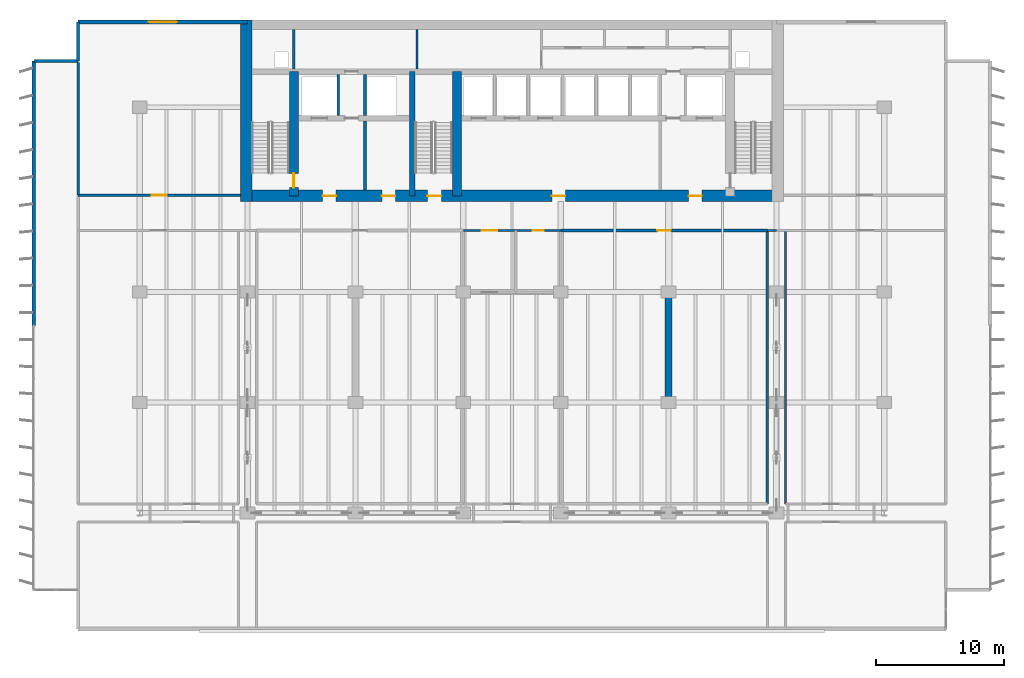
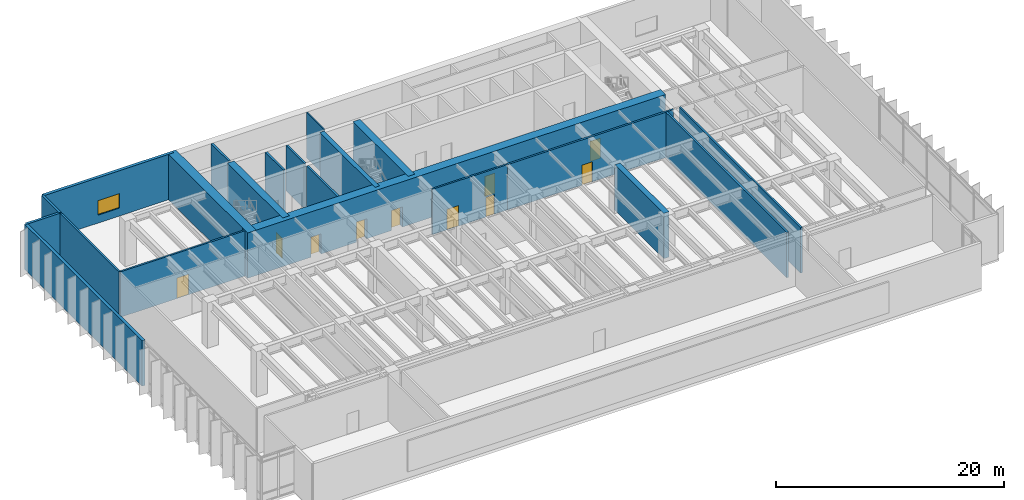
# One storey, part 15 of 21: 22 walls, 10 doors, 1 window, 11 openings.
"""IFC4 building model written with IfcOpenShell, lengths in metres."""

from ifc_helpers import new_model, si_unit, direction, frame, frame_2d, origin, place, context, subcontext, project, spatial, rectangle, extrude, material, layer, layer_set, type_object, element, fill, save


model = new_model("IFC4")

# Units and contexts
model_context = context("Model", 3, precision=1e-05, world=origin(), true_north=direction((0.0, 1.0)))
body_context = subcontext(model_context, "Body", "Model", "MODEL_VIEW")
ifc_project = project(units=[si_unit("LENGTHUNIT", "METRE"), si_unit("AREAUNIT", "SQUARE_METRE"), si_unit("VOLUMEUNIT", "CUBIC_METRE"), si_unit("PLANEANGLEUNIT", "RADIAN"), si_unit("MASSUNIT", "GRAM", prefix="KILO")], contexts=[model_context])

# Site, building, storey
site_placement = place(None, origin())
site = spatial("IfcSite", under=ifc_project, at=site_placement, CompositionType="ELEMENT")
building_placement = place(site_placement, origin())
building = spatial("IfcBuilding", under=site, at=building_placement, Name="Caelmar Bay Residences", CompositionType="ELEMENT")
storey_placement = place(building_placement, frame((0.0, 0.0, 79.5)))
storey = spatial("IfcBuildingStorey", under=building, at=storey_placement, Name="L21", CompositionType="ELEMENT", Elevation=79.5)

# Wall, opening, door
ifc_material_1 = material(Name="Concrete f'c 55 MPa (8,000 psi)", Category="concrete")
ifc_layer_1 = layer(ifc_material_1, 0.699951171875)
ifc_layer_set_1 = layer_set([ifc_layer_1], Name="Concrete f'c 55 MPa (8,000 psi)")
wall_type_1 = type_object("IfcWallType", Name="SW-COR-700", PredefinedType="SHEAR", material=ifc_layer_set_1)
wall_1_placement = place(storey_placement, frame((21.89990234375, 36.89990234375, 0.0), z_axis=(0.0, 0.0, 1.0), x_axis=(0.0, 1.0, 0.0)))
wall_1 = element("IfcWall", 1, at=wall_1_placement, inside=storey, type_object=wall_type_1, Name="L21 Core Structural Web Wall ST1E", PredefinedType="SHEAR", context=body_context, shape_type="SweptSolid", body=[
    extrude(rectangle(XDim=9.675048828125, YDim=0.699951171875, at=frame_2d((4.83740234375, 0.0))), origin(), (0.0, 0.0, 1.0), 4.85009765625),
])
opening_1_placement = place(wall_1_placement, frame((0.64990234375, 0.0, 0.0)))
opening_1 = element("IfcOpeningElement", 2, at=opening_1_placement, cuts=wall_1, Name="Opening D-L21-108", PredefinedType="OPENING", context=body_context, shape_type="SweptSolid", body=[
    extrude(rectangle(XDim=1.10009765625, YDim=2.14990234375, at=frame_2d((0.550048828125, 1.074951171875))), frame((0.0, 0.35986328125, 0.0), z_axis=(0.0, -1.0, 0.0), x_axis=(1.0, 0.0, 0.0)), (0.0, 0.0, 1.0), 0.719970703125),
])
ifc_material_2 = material(Name="Fire-rated steel and walnut architectural door assembly", Category="steel")
ifc_layer_2 = layer(ifc_material_2, 0.050048828125)
ifc_layer_set_2 = layer_set([ifc_layer_2], Name="Fire-rated steel and walnut architectural door assembly")
door_type_1 = type_object("IfcDoorType", Name="D-STAIR-1100", OperationType="NOTDEFINED", PredefinedType="DOOR", material=ifc_layer_set_2)
door_1_placement = place(opening_1_placement, origin())
door_1 = element("IfcDoor", 3, at=door_1_placement, inside=storey, type_object=door_type_1, Name="L21 Firefighting Lobby West Door", OperationType="SINGLE_SWING_LEFT", OverallHeight=2.14990234375, OverallWidth=1.10009765625, PredefinedType="DOOR", context=body_context, shape_type="SweptSolid", body=[
    extrude(rectangle(XDim=1.10009765625, YDim=2.14990234375, at=frame_2d((0.550048828125, 1.074951171875))), frame((0.0, 0.02490234375, 0.0), z_axis=(0.0, -1.0, 0.0), x_axis=(1.0, 0.0, 0.0)), (0.0, 0.0, 1.0), 0.050048828125),
])
fill(opening_1, door_1)

# Wall
wall_2_placement = place(storey_placement, frame((34.60009765625, 36.89990234375, 0.0), z_axis=(0.0, 0.0, 1.0), x_axis=(0.0, 1.0, 0.0)))
element("IfcWall", 4, at=wall_2_placement, inside=storey, type_object=wall_type_1, Name="L21 Core Structural Web Wall ST3E", PredefinedType="SHEAR", context=body_context, shape_type="SweptSolid", body=[
    extrude(rectangle(XDim=9.675048828125, YDim=0.699951171875, at=frame_2d((4.83740234375, 0.0))), origin(), (0.0, 0.0, 1.0), 4.85009765625),
])

# Wall, openings, doors
ifc_material_3 = material(Name="Concrete f'c 70 MPa (10,000 psi)", Category="concrete")
ifc_layer_3 = layer(ifc_material_3, 0.89990234375)
ifc_layer_set_3 = layer_set([ifc_layer_3], Name="Concrete f'c 70 MPa (10,000 psi)")
wall_type_2 = type_object("IfcWallType", Name="SW-COR-900", PredefinedType="SHEAR", material=ifc_layer_set_3)
wall_3_placement = place(storey_placement, frame((17.75, 36.89990234375, 0.0), z_axis=(0.0, 0.0, 1.0), x_axis=(1.0, 0.0, 0.0)))
wall_3 = element("IfcWall", 5, at=wall_3_placement, inside=storey, type_object=wall_type_2, Name="L21 Rear Core South Shear Wall", PredefinedType="SHEAR", context=body_context, shape_type="SweptSolid", body=[
    extrude(rectangle(XDim=42.300048828125, YDim=0.89990234375, at=frame_2d((21.14990234375, 0.0))), origin(), (0.0, 0.0, 1.0), 4.85009765625),
])
opening_2_placement = place(wall_3_placement, frame((14.550048828125, 0.0, 0.0)))
opening_2 = element("IfcOpeningElement", 6, at=opening_2_placement, cuts=wall_3, Name="Opening D-L21-106", PredefinedType="OPENING", context=body_context, shape_type="SweptSolid", body=[
    extrude(rectangle(XDim=1.10009765625, YDim=2.14990234375, at=frame_2d((0.550048828125, 1.074951171875))), frame((0.0, 0.4599609375, 0.0), z_axis=(0.0, -1.0, 0.0), x_axis=(1.0, 0.0, 0.0)), (0.0, 0.0, 1.0), 0.919921875),
])
opening_3_placement = place(wall_3_placement, frame((6.39990234375, 0.0, 0.0)))
opening_3 = element("IfcOpeningElement", 7, at=opening_3_placement, cuts=wall_3, Name="Opening D-L21-107", PredefinedType="OPENING", context=body_context, shape_type="SweptSolid", body=[
    extrude(rectangle(XDim=1.050048828125, YDim=2.14990234375, at=frame_2d((0.52490234375, 1.074951171875))), frame((0.0, 0.4599609375, 0.0), z_axis=(0.0, -1.0, 0.0), x_axis=(1.0, 0.0, 0.0)), (0.0, 0.0, 1.0), 0.919921875),
])
opening_4_placement = place(wall_3_placement, frame((34.89990234375, 0.0, 0.0)))
opening_4 = element("IfcOpeningElement", 8, at=opening_4_placement, cuts=wall_3, Name="Opening D-L21-110", PredefinedType="OPENING", context=body_context, shape_type="SweptSolid", body=[
    extrude(rectangle(XDim=1.050048828125, YDim=2.14990234375, at=frame_2d((0.52490234375, 1.074951171875))), frame((0.0, 0.4599609375, 0.0), z_axis=(0.0, -1.0, 0.0), x_axis=(1.0, 0.0, 0.0)), (0.0, 0.0, 1.0), 0.919921875),
])
opening_5_placement = place(wall_3_placement, frame((11.012451171875, 0.0, 0.0)))
opening_5 = element("IfcOpeningElement", 9, at=opening_5_placement, cuts=wall_3, Name="Opening D-L21-113", PredefinedType="OPENING", context=body_context, shape_type="SweptSolid", body=[
    extrude(rectangle(XDim=1.050048828125, YDim=2.14990234375, at=frame_2d((0.52490234375, 1.074951171875))), frame((0.0, 0.4599609375, 0.0), z_axis=(0.0, -1.0, 0.0), x_axis=(1.0, 0.0, 0.0)), (0.0, 0.0, 1.0), 0.919921875),
])
opening_6_placement = place(wall_3_placement, frame((24.25, 0.0, 0.0)))
opening_6 = element("IfcOpeningElement", 10, at=opening_6_placement, cuts=wall_3, Name="Opening D-L21-114", PredefinedType="OPENING", context=body_context, shape_type="SweptSolid", body=[
    extrude(rectangle(XDim=1.050048828125, YDim=2.14990234375, at=frame_2d((0.52490234375, 1.074951171875))), frame((0.0, 0.4599609375, 0.0), z_axis=(0.0, -1.0, 0.0), x_axis=(1.0, 0.0, 0.0)), (0.0, 0.0, 1.0), 0.919921875),
])
ifc_layer_4 = layer(ifc_material_2, 0.050048828125)
ifc_layer_set_4 = layer_set([ifc_layer_4], Name="Fire-rated steel and walnut architectural door assembly")
door_type_2 = type_object("IfcDoorType", Name="D-FSAE-1050", OperationType="NOTDEFINED", PredefinedType="DOOR", material=ifc_layer_set_4)
door_2_placement = place(opening_3_placement, origin())
door_2 = element("IfcDoor", 11, at=door_2_placement, inside=storey, type_object=door_type_2, Name="L21 Firefighting Lobby West Door", OperationType="SINGLE_SWING_RIGHT", OverallHeight=2.14990234375, OverallWidth=1.050048828125, PredefinedType="DOOR", context=body_context, shape_type="SweptSolid", body=[
    extrude(rectangle(XDim=1.050048828125, YDim=2.14990234375, at=frame_2d((0.52490234375, 1.074951171875))), frame((0.0, 0.02490234375, 0.0), z_axis=(0.0, -1.0, 0.0), x_axis=(1.0, 0.0, 0.0)), (0.0, 0.0, 1.0), 0.050048828125),
])
fill(opening_3, door_2)
door_3_placement = place(opening_4_placement, origin())
door_3 = element("IfcDoor", 12, at=door_3_placement, inside=storey, type_object=door_type_2, Name="L21 Firefighting Lobby East Door", OperationType="SINGLE_SWING_LEFT", OverallHeight=2.14990234375, OverallWidth=1.050048828125, PredefinedType="DOOR", context=body_context, shape_type="SweptSolid", body=[
    extrude(rectangle(XDim=1.050048828125, YDim=2.14990234375, at=frame_2d((0.52490234375, 1.074951171875))), frame((0.0, 0.02490234375, 0.0), z_axis=(0.0, -1.0, 0.0), x_axis=(1.0, 0.0, 0.0)), (0.0, 0.0, 1.0), 0.050048828125),
])
fill(opening_4, door_3)
door_4_placement = place(opening_5_placement, origin())
door_4 = element("IfcDoor", 13, at=door_4_placement, inside=storey, type_object=door_type_2, Name="L21 West Lift Lobby Door", OperationType="SINGLE_SWING_RIGHT", OverallHeight=2.14990234375, OverallWidth=1.050048828125, PredefinedType="DOOR", context=body_context, shape_type="SweptSolid", body=[
    extrude(rectangle(XDim=1.050048828125, YDim=2.14990234375, at=frame_2d((0.52490234375, 1.074951171875))), frame((0.0, 0.02490234375, 0.0), z_axis=(0.0, -1.0, 0.0), x_axis=(1.0, 0.0, 0.0)), (0.0, 0.0, 1.0), 0.050048828125),
])
fill(opening_5, door_4)
door_5_placement = place(opening_6_placement, origin())
door_5 = element("IfcDoor", 14, at=door_5_placement, inside=storey, type_object=door_type_2, Name="L21 Passenger Lift Lobby Door", OperationType="SINGLE_SWING_LEFT", OverallHeight=2.14990234375, OverallWidth=1.050048828125, PredefinedType="DOOR", context=body_context, shape_type="SweptSolid", body=[
    extrude(rectangle(XDim=1.050048828125, YDim=2.14990234375, at=frame_2d((0.52490234375, 1.074951171875))), frame((0.0, 0.02490234375, 0.0), z_axis=(0.0, -1.0, 0.0), x_axis=(1.0, 0.0, 0.0)), (0.0, 0.0, 1.0), 0.050048828125),
])
fill(opening_6, door_5)
door_6_placement = place(opening_2_placement, origin())
door_6 = element("IfcDoor", 15, at=door_6_placement, inside=storey, type_object=door_type_1, Name="L21 Exit Stair ST3 Door", OperationType="SINGLE_SWING_LEFT", OverallHeight=2.14990234375, OverallWidth=1.10009765625, PredefinedType="DOOR", context=body_context, shape_type="SweptSolid", body=[
    extrude(rectangle(XDim=1.10009765625, YDim=2.14990234375, at=frame_2d((0.550048828125, 1.074951171875))), frame((0.0, 0.02490234375, 0.0), z_axis=(0.0, -1.0, 0.0), x_axis=(1.0, 0.0, 0.0)), (0.0, 0.0, 1.0), 0.050048828125),
])
fill(opening_2, door_6)

# Walls
wall_4_placement = place(storey_placement, frame((18.199951171875, 36.449951171875, 0.0), z_axis=(0.0, 0.0, 1.0), x_axis=(0.0, 1.0, 0.0)))
element("IfcWall", 16, at=wall_4_placement, inside=storey, type_object=wall_type_2, Name="L21 Rear Core West Shear Wall", PredefinedType="SHEAR", context=body_context, shape_type="SweptSolid", body=[
    extrude(rectangle(XDim=14.150146484375, YDim=0.89990234375, at=frame_2d((7.0751953125, 0.0))), origin(), (0.0, 0.0, 1.0), 4.85009765625),
])
ifc_layer_5 = layer(ifc_material_3, 0.449951171875)
ifc_layer_set_5 = layer_set([ifc_layer_5], Name="Concrete f'c 70 MPa (10,000 psi)")
wall_type_3 = type_object("IfcWallType", Name="SW-WEB-450", PredefinedType="SHEAR", material=ifc_layer_set_5)
wall_5_placement = place(storey_placement, frame((31.125, 36.89990234375, 0.0), z_axis=(0.0, 0.0, 1.0), x_axis=(0.0, 1.0, 0.0)))
element("IfcWall", 17, at=wall_5_placement, inside=storey, type_object=wall_type_3, Name="L21 Core Structural Web Wall ST3W", PredefinedType="SHEAR", context=body_context, shape_type="SweptSolid", body=[
    extrude(rectangle(XDim=9.675048828125, YDim=0.449951171875, at=frame_2d((4.83740234375, 0.0))), origin(), (0.0, 0.0, 1.0), 4.85009765625),
])
ifc_layer_6 = layer(ifc_material_3, 0.550048828125)
ifc_layer_set_6 = layer_set([ifc_layer_6], Name="Concrete f'c 70 MPa (10,000 psi)")
wall_type_4 = type_object("IfcWallType", Name="SW-XSLB-550", PredefinedType="SHEAR", material=ifc_layer_set_6)
wall_6_placement = place(storey_placement, frame((51.10009765625, 20.800048828125, 0.0), z_axis=(0.0, 0.0, 1.0), x_axis=(0.0, 1.0, 0.0)))
element("IfcWall", 18, at=wall_6_placement, inside=storey, type_object=wall_type_4, Name="L21 Transverse Cross-Slab Shear Wall E8", PredefinedType="SHEAR", context=body_context, shape_type="SweptSolid", body=[
    extrude(rectangle(XDim=8.599853515625, YDim=0.550048828125, at=frame_2d((4.2998046875, 0.0))), origin(), (0.0, 0.0, 1.0), 4.85009765625),
])
ifc_material_4 = material(Name="Double-stud acoustic fire-rated gypsum partition 180 mm")
ifc_layer_7 = layer(ifc_material_4, 0.179931640625)
ifc_layer_set_7 = layer_set([ifc_layer_7], Name="Double-stud acoustic fire-rated gypsum partition 180 mm")
wall_type_5 = type_object("IfcWallType", Name="W-COR-200", PredefinedType="PARTITIONING", material=ifc_layer_set_7)
wall_7_placement = place(storey_placement, frame((5.10009765625, 36.949951171875, 0.0), z_axis=(0.0, 0.0, 1.0), x_axis=(0.0, 1.0, 0.0)))
element("IfcWall", 19, at=wall_7_placement, inside=storey, type_object=wall_type_5, Name="L21 Partition Wall V003", PredefinedType="PARTITIONING", context=body_context, shape_type="SweptSolid", body=[
    extrude(rectangle(XDim=10.330078125, YDim=0.179931640625, at=frame_2d((5.1650390625, 0.0))), origin(), (0.0, 0.0, 1.0), 4.85009765625),
])
wall_8_placement = place(storey_placement, frame((60.199951171875, 12.89990234375, 0.0), z_axis=(0.0, 0.0, 1.0), x_axis=(0.0, 1.0, 0.0)))
element("IfcWall", 20, at=wall_8_placement, inside=storey, type_object=wall_type_5, Name="L21 Partition Wall V035", PredefinedType="PARTITIONING", context=body_context, shape_type="SweptSolid", body=[
    extrude(rectangle(XDim=21.300048828125, YDim=0.179931640625, at=frame_2d((10.64990234375, 0.0))), origin(), (0.0, 0.0, 1.0), 4.85009765625),
])

# Wall, openings, doors
wall_9_placement = place(storey_placement, frame((35.10498046875, 34.199951171875, 0.0), z_axis=(0.0, 0.0, 1.0), x_axis=(1.0, 0.0, 0.0)))
wall_9 = element("IfcWall", 21, at=wall_9_placement, inside=storey, type_object=wall_type_5, Name="L21 Partition Wall H053", PredefinedType="PARTITIONING", context=body_context, shape_type="SweptSolid", body=[
    extrude(rectangle(XDim=7.594970703125, YDim=0.179931640625, at=frame_2d((3.79736328125, 0.0))), origin(), (0.0, 0.0, 1.0), 4.85009765625),
])
opening_7_placement = place(wall_9_placement, frame((1.447509765625, 0.0, 0.0)))
opening_7 = element("IfcOpeningElement", 22, at=opening_7_placement, cuts=wall_9, Name="Opening D-L21-123", PredefinedType="OPENING", context=body_context, shape_type="SweptSolid", body=[
    extrude(rectangle(XDim=1.199951171875, YDim=2.199951171875, at=frame_2d((0.60009765625, 1.10009765625))), frame((0.0, 0.099853515625, 0.0), z_axis=(0.0, -1.0, 0.0), x_axis=(1.0, 0.0, 0.0)), (0.0, 0.0, 1.0), 0.199951171875),
])
opening_8_placement = place(wall_9_placement, frame((5.419921875, 0.0, 0.0)))
opening_8 = element("IfcOpeningElement", 23, at=opening_8_placement, cuts=wall_9, Name="Opening D-L21-124", PredefinedType="OPENING", context=body_context, shape_type="SweptSolid", body=[
    extrude(rectangle(XDim=0.85009765625, YDim=2.10009765625, at=frame_2d((0.425048828125, 1.050048828125))), frame((0.0, 0.099853515625, 0.0), z_axis=(0.0, -1.0, 0.0), x_axis=(1.0, 0.0, 0.0)), (0.0, 0.0, 1.0), 0.199951171875),
])
ifc_material_5 = material(Name="Solid walnut timber interior door leaf and frame", Category="wood")
ifc_layer_8 = layer(ifc_material_5, 0.050048828125)
ifc_layer_set_8 = layer_set([ifc_layer_8], Name="Solid walnut timber interior door leaf and frame")
door_type_3 = type_object("IfcDoorType", Name="D-BATH-850", OperationType="NOTDEFINED", PredefinedType="DOOR", material=ifc_layer_set_8)
door_7_placement = place(opening_8_placement, origin())
door_7 = element("IfcDoor", 24, at=door_7_placement, inside=storey, type_object=door_type_3, Name="L21 Refuge Accessible WC L21 Door", OperationType="SINGLE_SWING_LEFT", OverallHeight=2.10009765625, OverallWidth=0.85009765625, PredefinedType="DOOR", context=body_context, shape_type="SweptSolid", body=[
    extrude(rectangle(XDim=0.85009765625, YDim=2.10009765625, at=frame_2d((0.425048828125, 1.050048828125))), frame((0.0, 0.02490234375, 0.0), z_axis=(0.0, -1.0, 0.0), x_axis=(1.0, 0.0, 0.0)), (0.0, 0.0, 1.0), 0.050048828125),
])
fill(opening_8, door_7)
ifc_layer_9 = layer(ifc_material_2, 0.050048828125)
ifc_layer_set_9 = layer_set([ifc_layer_9], Name="Fire-rated steel and walnut architectural door assembly")
door_type_4 = type_object("IfcDoorType", Name="D-PLANT-1200", OperationType="NOTDEFINED", PredefinedType="DOOR", material=ifc_layer_set_9)
door_8_placement = place(opening_7_placement, origin())
door_8 = element("IfcDoor", 25, at=door_8_placement, inside=storey, type_object=door_type_4, Name="L21 Switchgear Electrical Plant Room L21 Door", OperationType="SINGLE_SWING_RIGHT", OverallHeight=2.199951171875, OverallWidth=1.199951171875, PredefinedType="DOOR", context=body_context, shape_type="SweptSolid", body=[
    extrude(rectangle(XDim=1.199951171875, YDim=2.199951171875, at=frame_2d((0.60009765625, 1.10009765625))), frame((0.0, 0.02490234375, 0.0), z_axis=(0.0, -1.0, 0.0), x_axis=(1.0, 0.0, 0.0)), (0.0, 0.0, 1.0), 0.050048828125),
])
fill(opening_7, door_8)

# Wall
wall_10_placement = place(storey_placement, frame((58.804931640625, 34.199951171875, 0.0), z_axis=(0.0, 0.0, 1.0), x_axis=(1.0, 0.0, 0.0)))
element("IfcWall", 26, at=wall_10_placement, inside=storey, type_object=wall_type_5, Name="L21 Partition Wall H055", PredefinedType="PARTITIONING", context=body_context, shape_type="SweptSolid", body=[
    extrude(rectangle(XDim=0.695068359375, YDim=0.179931640625, at=frame_2d((0.34765625, 0.0))), origin(), (0.0, 0.0, 1.0), 4.85009765625),
])

# Wall, opening, door
wall_11_placement = place(storey_placement, frame((5.10009765625, 36.949951171875, 0.0), z_axis=(0.0, 0.0, 1.0), x_axis=(1.0, 0.0, 0.0)))
wall_11 = element("IfcWall", 27, at=wall_11_placement, inside=storey, type_object=wall_type_5, Name="L21 Partition Wall H057", PredefinedType="PARTITIONING", context=body_context, shape_type="SweptSolid", body=[
    extrude(rectangle(XDim=12.64501953125, YDim=0.179931640625, at=frame_2d((6.322509765625, 0.0))), origin(), (0.0, 0.0, 1.0), 4.85009765625),
])
opening_9_placement = place(wall_11_placement, frame((5.722412109375, 0.0, 0.0)))
opening_9 = element("IfcOpeningElement", 28, at=opening_9_placement, cuts=wall_11, Name="Opening D-L21-127", PredefinedType="OPENING", context=body_context, shape_type="SweptSolid", body=[
    extrude(rectangle(XDim=1.199951171875, YDim=2.199951171875, at=frame_2d((0.60009765625, 1.10009765625))), frame((0.0, 0.099853515625, 0.0), z_axis=(0.0, -1.0, 0.0), x_axis=(1.0, 0.0, 0.0)), (0.0, 0.0, 1.0), 0.199951171875),
])
door_9_placement = place(opening_9_placement, origin())
door_9 = element("IfcDoor", 29, at=door_9_placement, inside=storey, type_object=door_type_4, Name="L21 North Exhaust Plant Room L21 Door", OperationType="SINGLE_SWING_RIGHT", OverallHeight=2.199951171875, OverallWidth=1.199951171875, PredefinedType="DOOR", context=body_context, shape_type="SweptSolid", body=[
    extrude(rectangle(XDim=1.199951171875, YDim=2.199951171875, at=frame_2d((0.60009765625, 1.10009765625))), frame((0.0, 0.02490234375, 0.0), z_axis=(0.0, -1.0, 0.0), x_axis=(1.0, 0.0, 0.0)), (0.0, 0.0, 1.0), 0.050048828125),
])
fill(opening_9, door_9)

# Walls
ifc_material_6 = material(Name="Precast concrete f'c 40 MPa (6,000 psi)", Category="concrete")
ifc_layer_10 = layer(ifc_material_6, 0.25)
ifc_layer_set_10 = layer_set([ifc_layer_10], Name="Precast concrete f'c 40 MPa (6,000 psi)")
wall_type_6 = type_object("IfcWallType", Name="W-EXT-250", PredefinedType="ELEMENTEDWALL", material=ifc_layer_set_10)
wall_12_placement = place(storey_placement, frame((1.64990234375, 47.39990234375, 0.0), z_axis=(0.0, 0.0, 1.0), x_axis=(1.0, 0.0, 0.0)))
element("IfcWall", 30, at=wall_12_placement, inside=storey, type_object=wall_type_6, Name="L21 NNW-H Notch Wall", PredefinedType="ELEMENTEDWALL", context=body_context, shape_type="SweptSolid", body=[
    extrude(rectangle(XDim=3.4501953125, YDim=0.25, at=frame_2d((1.72509765625, 0.0))), origin(), (0.0, 0.0, 1.0), 4.85009765625),
])
wall_13_placement = place(storey_placement, frame((5.10009765625, 47.39990234375, 0.0), z_axis=(0.0, 0.0, 1.0), x_axis=(0.0, 1.0, 0.0)))
element("IfcWall", 31, at=wall_13_placement, inside=storey, type_object=wall_type_6, Name="L21 NNW-V Notch Wall", PredefinedType="ELEMENTEDWALL", context=body_context, shape_type="SweptSolid", body=[
    extrude(rectangle(XDim=3.050048828125, YDim=0.25, at=frame_2d((1.52490234375, 0.0))), origin(), (0.0, 0.0, 1.0), 4.85009765625),
])
ifc_layer_11 = layer(ifc_material_6, 0.300048828125)
ifc_layer_set_11 = layer_set([ifc_layer_11], Name="Precast concrete f'c 40 MPa (6,000 psi)")
wall_type_7 = type_object("IfcWallType", Name="W-EXT-300", PredefinedType="STANDARD", material=ifc_layer_set_11)
wall_14_placement = place(storey_placement, frame((1.64990234375, 26.800048828125, 0.0), z_axis=(0.0, 0.0, 1.0), x_axis=(0.0, 1.0, 0.0)))
element("IfcWall", 32, at=wall_14_placement, inside=storey, type_object=wall_type_7, Name="L21 West Rear Exterior Wall", PredefinedType="STANDARD", context=body_context, shape_type="SweptSolid", body=[
    extrude(rectangle(XDim=20.599853515625, YDim=0.300048828125, at=frame_2d((10.2998046875, 0.0))), origin(), (0.0, 0.0, 1.0), 4.85009765625),
])

# Wall, opening, window
wall_15_placement = place(storey_placement, frame((5.10009765625, 50.449951171875, 0.0), z_axis=(0.0, 0.0, 1.0), x_axis=(1.0, 0.0, 0.0)))
wall_15 = element("IfcWall", 33, at=wall_15_placement, inside=storey, type_object=wall_type_7, Name="L21 North-West Wing Exterior Wall", PredefinedType="STANDARD", context=body_context, shape_type="SweptSolid", body=[
    extrude(rectangle(XDim=13.199951171875, YDim=0.300048828125, at=frame_2d((6.60009765625, 0.0))), origin(), (0.0, 0.0, 1.0), 4.85009765625),
])
opening_10_placement = place(wall_15_placement, frame((5.5, 0.0, 0.85009765625)))
opening_10 = element("IfcOpeningElement", 34, at=opening_10_placement, cuts=wall_15, Name="Opening WN2", PredefinedType="OPENING", context=body_context, shape_type="SweptSolid", body=[
    extrude(rectangle(XDim=2.199951171875, YDim=1.550048828125, at=frame_2d((1.10009765625, 0.77490234375))), frame((0.0, 0.159912109375, 0.0), z_axis=(0.0, -1.0, 0.0), x_axis=(1.0, 0.0, 0.0)), (0.0, 0.0, 1.0), 0.320068359375),
])
ifc_material_7 = material(Name="Bronze aluminium frame with laminated low-E glass", Category="aluminium")
ifc_layer_12 = layer(ifc_material_7, 0.06005859375)
ifc_layer_set_12 = layer_set([ifc_layer_12], Name="Bronze aluminium frame with laminated low-E glass")
window_type = type_object("IfcWindowType", Name="WIN-BR-2200", PartitioningType="SINGLE_PANEL", PredefinedType="WINDOW", material=ifc_layer_set_12)
window_placement = place(opening_10_placement, origin())
window = element("IfcWindow", 35, at=window_placement, inside=storey, type_object=window_type, Name="L21 North-West Studio Window", OverallHeight=1.550048828125, OverallWidth=2.199951171875, PartitioningType="SINGLE_PANEL", PredefinedType="WINDOW", context=body_context, shape_type="SweptSolid", body=[
    extrude(rectangle(XDim=2.199951171875, YDim=1.550048828125, at=frame_2d((1.10009765625, 0.77490234375))), frame((0.0, 0.030029296875, 0.0), z_axis=(0.0, -1.0, 0.0), x_axis=(1.0, 0.0, 0.0)), (0.0, 0.0, 1.0), 0.06005859375),
])
fill(opening_10, window)

# Walls
ifc_material_8 = material(Name="Fire-rated masonry and gypsum shaftliner assembly 200 mm", Category="masonry")
ifc_layer_13 = layer(ifc_material_8, 0.199951171875)
ifc_layer_set_13 = layer_set([ifc_layer_13], Name="Fire-rated masonry and gypsum shaftliner assembly 200 mm")
wall_type_8 = type_object("IfcWallType", Name="W-FSAE-200", PredefinedType="PARTITIONING", material=ifc_layer_set_13)
wall_16_placement = place(storey_placement, frame((21.89990234375, 46.794921875, 0.0), z_axis=(0.0, 0.0, 1.0), x_axis=(0.0, 1.0, 0.0)))
element("IfcWall", 36, at=wall_16_placement, inside=storey, type_object=wall_type_8, Name="L21 Partition Wall V010", PredefinedType="PARTITIONING", context=body_context, shape_type="SweptSolid", body=[
    extrude(rectangle(XDim=3.06005859375, YDim=0.199951171875, at=frame_2d((1.530029296875, 0.0))), origin(), (0.0, 0.0, 1.0), 4.85009765625),
])
wall_17_placement = place(storey_placement, frame((25.35009765625, 43.169921875, 0.0), z_axis=(0.0, 0.0, 1.0), x_axis=(0.0, 1.0, 0.0)))
element("IfcWall", 37, at=wall_17_placement, inside=storey, type_object=wall_type_8, Name="L21 Partition Wall V011", PredefinedType="PARTITIONING", context=body_context, shape_type="SweptSolid", body=[
    extrude(rectangle(XDim=3.18505859375, YDim=0.199951171875, at=frame_2d((1.592529296875, 0.0))), origin(), (0.0, 0.0, 1.0), 4.85009765625),
])
wall_18_placement = place(storey_placement, frame((27.449951171875, 37.344970703125, 0.0), z_axis=(0.0, 0.0, 1.0), x_axis=(0.0, 1.0, 0.0)))
element("IfcWall", 38, at=wall_18_placement, inside=storey, type_object=wall_type_8, Name="L21 Partition Wall V012", PredefinedType="PARTITIONING", context=body_context, shape_type="SweptSolid", body=[
    extrude(rectangle(XDim=5.385009765625, YDim=0.199951171875, at=frame_2d((2.6923828125, 0.0))), origin(), (0.0, 0.0, 1.0), 4.85009765625),
])
wall_19_placement = place(storey_placement, frame((27.449951171875, 43.169921875, 0.0), z_axis=(0.0, 0.0, 1.0), x_axis=(0.0, 1.0, 0.0)))
element("IfcWall", 39, at=wall_19_placement, inside=storey, type_object=wall_type_8, Name="L21 Partition Wall V013", PredefinedType="PARTITIONING", context=body_context, shape_type="SweptSolid", body=[
    extrude(rectangle(XDim=3.18505859375, YDim=0.199951171875, at=frame_2d((1.592529296875, 0.0))), origin(), (0.0, 0.0, 1.0), 4.85009765625),
])
wall_20_placement = place(storey_placement, frame((58.800048828125, 12.89990234375, 0.0), z_axis=(0.0, 0.0, 1.0), x_axis=(0.0, 1.0, 0.0)))
element("IfcWall", 40, at=wall_20_placement, inside=storey, type_object=wall_type_8, Name="L21 Partition Wall V033", PredefinedType="PARTITIONING", context=body_context, shape_type="SweptSolid", body=[
    extrude(rectangle(XDim=21.300048828125, YDim=0.199951171875, at=frame_2d((10.64990234375, 0.0))), origin(), (0.0, 0.0, 1.0), 4.85009765625),
])

# Wall, opening, door
wall_21_placement = place(storey_placement, frame((42.705078125, 34.199951171875, 0.0), z_axis=(0.0, 0.0, 1.0), x_axis=(1.0, 0.0, 0.0)))
wall_21 = element("IfcWall", 41, at=wall_21_placement, inside=storey, type_object=wall_type_8, Name="L21 Partition Wall H054", PredefinedType="PARTITIONING", context=body_context, shape_type="SweptSolid", body=[
    extrude(rectangle(XDim=16.094970703125, YDim=0.199951171875, at=frame_2d((8.04736328125, 0.0))), origin(), (0.0, 0.0, 1.0), 4.85009765625),
])
opening_11_placement = place(wall_21_placement, frame((7.5224609375, 0.0, 0.0)))
opening_11 = element("IfcOpeningElement", 42, at=opening_11_placement, cuts=wall_21, Name="Opening D-L21-125", PredefinedType="OPENING", context=body_context, shape_type="SweptSolid", body=[
    extrude(rectangle(XDim=1.050048828125, YDim=2.14990234375, at=frame_2d((0.52490234375, 1.074951171875))), frame((0.0, 0.10986328125, 0.0), z_axis=(0.0, -1.0, 0.0), x_axis=(1.0, 0.0, 0.0)), (0.0, 0.0, 1.0), 0.219970703125),
])
door_10_placement = place(opening_11_placement, origin())
door_10 = element("IfcDoor", 43, at=door_10_placement, inside=storey, type_object=door_type_2, Name="L21 East Area of Refuge L21 Door", OperationType="SINGLE_SWING_RIGHT", OverallHeight=2.14990234375, OverallWidth=1.050048828125, PredefinedType="DOOR", context=body_context, shape_type="SweptSolid", body=[
    extrude(rectangle(XDim=1.050048828125, YDim=2.14990234375, at=frame_2d((0.52490234375, 1.074951171875))), frame((0.0, 0.02490234375, 0.0), z_axis=(0.0, -1.0, 0.0), x_axis=(1.0, 0.0, 0.0)), (0.0, 0.0, 1.0), 0.050048828125),
])
fill(opening_11, door_10)

# Wall
ifc_material_9 = material(Name="Acoustic metal-stud gypsum partition 120 mm")
ifc_layer_14 = layer(ifc_material_9, 0.1201171875)
ifc_layer_set_14 = layer_set([ifc_layer_14], Name="Acoustic metal-stud gypsum partition 120 mm")
wall_type_9 = type_object("IfcWallType", Name="W-PRT-120", PredefinedType="PARTITIONING", material=ifc_layer_set_14)
wall_22_placement = place(storey_placement, frame((31.5, 46.794921875, 0.0), z_axis=(0.0, 0.0, 1.0), x_axis=(0.0, 1.0, 0.0)))
element("IfcWall", 44, at=wall_22_placement, inside=storey, type_object=wall_type_9, Name="L21 Partition Wall V014", PredefinedType="PARTITIONING", context=body_context, shape_type="SweptSolid", body=[
    extrude(rectangle(XDim=3.06005859375, YDim=0.1201171875, at=frame_2d((1.530029296875, 0.0))), origin(), (0.0, 0.0, 1.0), 4.85009765625),
])

save(model, "model.ifc")
